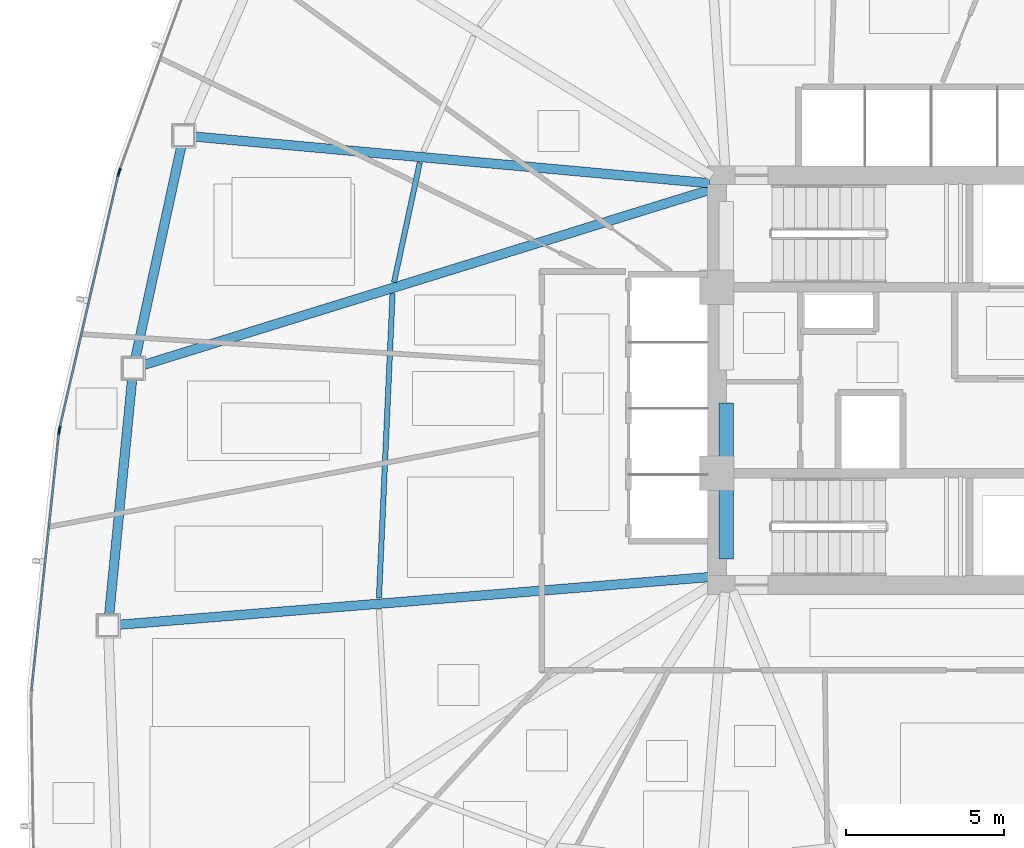
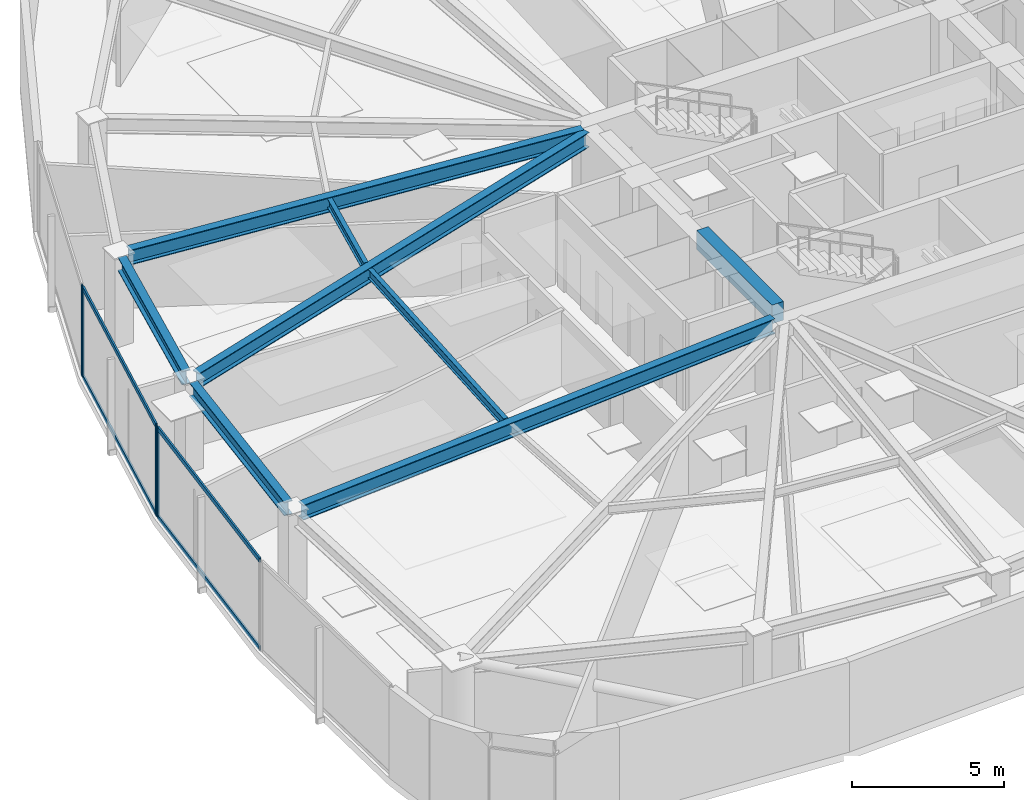
# One storey, part 4 of 17: 8 beams, 8 members, 3 elements without a shape of their own.
"""IFC4 building model written with IfcOpenShell, lengths in metres."""

from ifc_helpers import new_model, si_unit, direction, frame, origin, origin_2d, place, context, subcontext, project, spatial, rectangle, hollow_rectangle, i_section, extrude, source, transform, mapped, material, layer, layer_set, material_profile, profile_set, type_object, type_shapes, element, aggregate, save


model = new_model("IFC4")

# Units and contexts
model_context = context("Model", 3, precision=1e-05, world=origin(), true_north=direction((0.0, 1.0)))
body_context = subcontext(model_context, "Body", "Model", "MODEL_VIEW")
ifc_project = project(units=[si_unit("LENGTHUNIT", "METRE"), si_unit("AREAUNIT", "SQUARE_METRE"), si_unit("VOLUMEUNIT", "CUBIC_METRE"), si_unit("PLANEANGLEUNIT", "RADIAN"), si_unit("MASSUNIT", "GRAM", prefix="KILO")], contexts=[model_context])

# Site, building, storey
site_placement = place(None, origin())
site = spatial("IfcSite", under=ifc_project, at=site_placement, CompositionType="ELEMENT")
building_placement = place(site_placement, origin())
building = spatial("IfcBuilding", under=site, at=building_placement, Name="Tavelor Broadcast Tower", CompositionType="ELEMENT")
storey_placement = place(building_placement, frame((0.0, 0.0, 82.199951171875)))
storey = spatial("IfcBuildingStorey", under=building, at=storey_placement, Name="L19", CompositionType="ELEMENT", Elevation=82.199951171875)

# Beams
ifc_material_1 = material(Name="Concrete C40/50", Category="concrete")
ifc_material_profile_1 = material_profile(ifc_material_1, rectangle(XDim=0.449951171875, YDim=0.75, at=origin_2d()), Name="RC 450x750")
ifc_profile_set_1 = profile_set([ifc_material_profile_1], Name="Concrete C40/50")
beam_type_1 = type_object("IfcBeamType", Name="Basement Core Trim Beam 450x750", PredefinedType="BEAM", material=ifc_profile_set_1)
beam_1_placement = place(storey_placement, frame((43.39990234375, 39.327880859375, 3.22509765625), z_axis=(0.0, 1.0, 0.0), x_axis=(-1.0, 0.0, 0.0)))
element("IfcBeam", 1, at=beam_1_placement, inside=storey, type_object=beam_type_1, Name="L19 Core West-S Tie Girder", PredefinedType="BEAM", context=body_context, shape_type="SweptSolid", body=[
    extrude(rectangle(XDim=0.449951171875, YDim=0.75, at=origin_2d()), origin(), (0.0, 0.0, 1.0), 4.944091796875),
])
ifc_material_2 = material(Name="Steel S355", Category="steel")
ifc_material_profile_2 = material_profile(ifc_material_2, i_section(OverallWidth=0.169921875, OverallDepth=0.360107421875, WebThickness=0.008056640625, FlangeThickness=0.0126953125, at=origin_2d()), Name="IPE 360")
ifc_profile_set_2 = profile_set([ifc_material_profile_2], Name="Steel S355")
beam_type_2 = type_object("IfcBeamType", Name="Composite Floor Joist T2 IPE 360", PredefinedType="JOIST", material=ifc_profile_set_2)
beam_2_placement = place(storey_placement, frame((33.679931640625, 51.899658203125, 3.420166015625), z_axis=(-0.210632825907, -0.97756524726, 0.0), x_axis=(0.97756524726, -0.210632825907, 0.0)))
element("IfcBeam", 2, at=beam_2_placement, inside=storey, type_object=beam_type_2, Name="L19 Secondary Composite Floor Joist 04", PredefinedType="JOIST", context=body_context, shape_type="SweptSolid", body=[
    extrude(i_section(OverallWidth=0.169921875, OverallDepth=0.360107421875, WebThickness=0.008056640625, FlangeThickness=0.0126953125, at=origin_2d()), origin(), (0.0, 0.0, 1.0), 3.8818359375),
])
beam_3_placement = place(storey_placement, frame((32.816162109375, 47.747314453125, 3.420166015625), z_axis=(-0.044602263152, -0.999004823873, 0.0), x_axis=(0.999004823873, -0.044602263152, 0.0)))
element("IfcBeam", 3, at=beam_3_placement, inside=storey, type_object=beam_type_2, Name="L19 Secondary Composite Floor Joist 05", PredefinedType="JOIST", context=body_context, shape_type="SweptSolid", body=[
    extrude(i_section(OverallWidth=0.169921875, OverallDepth=0.360107421875, WebThickness=0.008056640625, FlangeThickness=0.0126953125, at=origin_2d()), origin(), (0.0, 0.0, 1.0), 9.66650390625),
])
ifc_material_profile_3 = material_profile(ifc_material_2, i_section(OverallWidth=0.300048828125, OverallDepth=0.550048828125, WebThickness=0.014892578125, FlangeThickness=0.029052734375, at=origin_2d()), Name="HEB 550")
ifc_profile_set_3 = profile_set([ifc_material_profile_3], Name="Steel S355")
beam_type_3 = type_object("IfcBeamType", Name="Perimeter Spandrel Beam T2 HEB 550", PredefinedType="SPANDREL", material=ifc_profile_set_3)
beam_4_placement = place(storey_placement, frame((26.1181640625, 52.4296875, 3.324951171875), z_axis=(-0.211875421449, -0.977296682582, 0.0), x_axis=(0.977296682582, -0.211875421449, 0.0)))
element("IfcBeam", 4, at=beam_4_placement, inside=storey, type_object=beam_type_3, Name="L19 Framed-Tube Ring Spandrel 04", PredefinedType="SPANDREL", context=body_context, shape_type="SweptSolid", body=[
    extrude(i_section(OverallWidth=0.300048828125, OverallDepth=0.550048828125, WebThickness=0.014892578125, FlangeThickness=0.029052734375, at=origin_2d()), origin(), (0.0, 0.0, 1.0), 6.876708984375),
])
beam_5_placement = place(storey_placement, frame((24.557373046875, 45.04638671875, 3.324951171875), z_axis=(-0.096929220198, -0.9952912771, 0.0), x_axis=(0.9952912771, -0.096929220198, 0.0)))
element("IfcBeam", 5, at=beam_5_placement, inside=storey, type_object=beam_type_3, Name="L19 Framed-Tube Ring Spandrel 05", PredefinedType="SPANDREL", context=body_context, shape_type="SweptSolid", body=[
    extrude(i_section(OverallWidth=0.300048828125, OverallDepth=0.550048828125, WebThickness=0.014892578125, FlangeThickness=0.029052734375, at=origin_2d()), origin(), (0.0, 0.0, 1.0), 7.531005859375),
])
ifc_material_profile_4 = material_profile(ifc_material_2, i_section(OverallWidth=0.300048828125, OverallDepth=0.60009765625, WebThickness=0.015380859375, FlangeThickness=0.030029296875, at=origin_2d()), Name="HEB 600")
ifc_profile_set_4 = profile_set([ifc_material_profile_4], Name="Steel S355")
beam_type_4 = type_object("IfcBeamType", Name="Radial Floor Girder T2 HEB 600", PredefinedType="BEAM", material=ifc_profile_set_4)
beam_6_placement = place(storey_placement, frame((42.874267578125, 51.24755859375, 3.300048828125), z_axis=(-0.99592702313, 0.090162989073, 0.0), x_axis=(-0.090162989073, -0.99592702313, 0.0)))
element("IfcBeam", 6, at=beam_6_placement, inside=storey, type_object=beam_type_4, Name="L19 Radial Primary Floor Girder 04", PredefinedType="BEAM", context=body_context, shape_type="SweptSolid", body=[
    extrude(i_section(OverallWidth=0.300048828125, OverallDepth=0.60009765625, WebThickness=0.015380859375, FlangeThickness=0.030029296875, at=origin_2d()), origin(), (0.0, 0.0, 1.0), 16.417236328125),
])
beam_7_placement = place(storey_placement, frame((42.8955078125, 51.0439453125, 3.300048828125), z_axis=(-0.9553264377, -0.295552698231, 0.0), x_axis=(0.295552698231, -0.9553264377, 0.0)))
element("IfcBeam", 7, at=beam_7_placement, inside=storey, type_object=beam_type_4, Name="L19 Radial Primary Floor Girder 05", PredefinedType="BEAM", context=body_context, shape_type="SweptSolid", body=[
    extrude(i_section(OverallWidth=0.300048828125, OverallDepth=0.60009765625, WebThickness=0.015380859375, FlangeThickness=0.030029296875, at=origin_2d()), origin(), (0.0, 0.0, 1.0), 18.82568359375),
])
beam_8_placement = place(storey_placement, frame((42.873779296875, 38.757568359375, 3.300048828125), z_axis=(-0.996753141144, -0.080518169498, 0.0), x_axis=(0.080518169498, -0.996753141144, 0.0)))
element("IfcBeam", 8, at=beam_8_placement, inside=storey, type_object=beam_type_4, Name="L19 Radial Primary Floor Girder 06", PredefinedType="BEAM", context=body_context, shape_type="SweptSolid", body=[
    extrude(i_section(OverallWidth=0.300048828125, OverallDepth=0.60009765625, WebThickness=0.015380859375, FlangeThickness=0.030029296875, at=origin_2d()), origin(), (0.0, 0.0, 1.0), 18.80517578125),
])

# Curtain wall, member
ifc_material_3 = material(Name="Architectural Anodized Aluminium", Category="aluminium")
ifc_layer = layer(ifc_material_3, 0.179931640625)
ifc_layer_set = layer_set([ifc_layer], Name="Architectural Anodized Aluminium")
curtain_wall_type = type_object("IfcCurtainWallType", Name="Tower Low-Zone Unitised Curtain Wall CW02", PredefinedType="NOTDEFINED", material=ifc_layer_set)
curtain_wall_1_placement = place(storey_placement, origin())
curtain_wall_1 = element("IfcCurtainWall", 9, at=curtain_wall_1_placement, inside=storey, type_object=curtain_wall_type, Name="L19 Curtain Wall CW02 Run 181", PredefinedType="NOTDEFINED")
ifc_material_profile_5 = material_profile(ifc_material_3, hollow_rectangle(XDim=0.06494140625, YDim=0.179931640625, WallThickness=0.02197265625, at=origin_2d()), Name="RHS 65x180x22")
ifc_profile_set_5 = profile_set([ifc_material_profile_5], Name="Architectural Anodized Aluminium")
member_type_1 = type_object("IfcMemberType", Name="CW02 Extruded Aluminium Mullion 65x180", PredefinedType="MULLION", material=ifc_profile_set_5)
shared_shape_1 = source(origin(), body_context, "Body", "SweptSolid", [
    extrude(hollow_rectangle(XDim=0.06494140625, YDim=0.179931640625, WallThickness=0.02197265625, at=origin_2d()), origin(), (0.0, 0.0, 1.0), 3.60009765625),
])
type_shapes(member_type_1, [shared_shape_1])
member_1_placement = place(storey_placement, frame((24.15380859375, 51.63916015625, 0.0), z_axis=(0.0, 0.0, 1.0), x_axis=(0.93983590828, -0.341626207291, 0.0)))
member_1 = element("IfcMember", 10, at=member_1_placement, type_object=member_type_1, Name="CW02 mullion 2", PredefinedType="MULLION", context=body_context, shape_type="MappedRepresentation", body=[
    mapped(shared_shape_1, transform((0.0, 0.0, 0.0), scale=1.0)),
])
aggregate(curtain_wall_1, [member_1])

# Curtain wall, members
curtain_wall_2_placement = place(storey_placement, origin())
curtain_wall_2 = element("IfcCurtainWall", 11, at=curtain_wall_2_placement, inside=storey, type_object=curtain_wall_type, Name="L19 Curtain Wall CW02 Run 182", PredefinedType="NOTDEFINED")
member_2_placement = place(storey_placement, frame((24.126708984375, 51.54833984375, 0.0), z_axis=(0.0, 0.0, 1.0), x_axis=(0.974275052333, -0.22536220269, 0.0)))
member_2 = element("IfcMember", 12, at=member_2_placement, type_object=member_type_1, Name="CW02 mullion 1", PredefinedType="MULLION", context=body_context, shape_type="MappedRepresentation", body=[
    mapped(shared_shape_1, transform((0.0, 0.0, 0.0), scale=1.0)),
])
member_3_placement = place(storey_placement, frame((22.255615234375, 43.458984375, 0.0), z_axis=(0.0, 0.0, 1.0), x_axis=(0.974275052333, -0.22536220269, 0.0)))
member_3 = element("IfcMember", 13, at=member_3_placement, type_object=member_type_1, Name="CW02 mullion 2", PredefinedType="MULLION", context=body_context, shape_type="MappedRepresentation", body=[
    mapped(shared_shape_1, transform((0.0, 0.0, 0.0), scale=1.0)),
])

# Curtain wall, member
curtain_wall_3_placement = place(storey_placement, origin())
curtain_wall_3 = element("IfcCurtainWall", 14, at=curtain_wall_3_placement, inside=storey, type_object=curtain_wall_type, Name="L19 Curtain Wall CW02 Run 183", PredefinedType="NOTDEFINED")
member_4_placement = place(storey_placement, frame((22.23974609375, 43.365478515625, 0.0), z_axis=(0.0, 0.0, 1.0), x_axis=(0.994385034184, -0.10582251079, 0.0)))
member_4 = element("IfcMember", 15, at=member_4_placement, type_object=member_type_1, Name="CW02 mullion 1", PredefinedType="MULLION", context=body_context, shape_type="MappedRepresentation", body=[
    mapped(shared_shape_1, transform((0.0, 0.0, 0.0), scale=1.0)),
])

# Member
ifc_material_profile_6 = material_profile(ifc_material_3, hollow_rectangle(XDim=0.06494140625, YDim=0.179931640625, WallThickness=0.02197265625, at=origin_2d()), Name="RHS 65x180x22")
ifc_profile_set_6 = profile_set([ifc_material_profile_6], Name="Architectural Anodized Aluminium")
member_type_2 = type_object("IfcMemberType", Name="CW02 Extruded Aluminium Transom 65x180", PredefinedType="USERDEFINED", material=ifc_profile_set_6)
shared_shape_2 = source(origin(), body_context, "Body", "SweptSolid", [
    extrude(hollow_rectangle(XDim=0.06494140625, YDim=0.179931640625, WallThickness=0.02197265625, at=origin_2d()), origin(), (0.0, 0.0, 1.0), 8.23779296875),
])
type_shapes(member_type_2, [shared_shape_2])
member_5_placement = place(storey_placement, frame((24.119384765625, 51.5166015625, 0.032470703125), z_axis=(-0.225357306958, -0.974276184765, 0.0), x_axis=(0.974276184765, -0.225357306958, 0.0)))
member_5 = element("IfcMember", 16, at=member_5_placement, type_object=member_type_2, Name="CW02 transom 1.1", ObjectType="TRANSOM", PredefinedType="USERDEFINED", context=body_context, shape_type="MappedRepresentation", body=[
    mapped(shared_shape_2, transform((0.0, 0.0, 0.0), scale=1.0)),
])

member_6_placement = place(storey_placement, frame((24.119384765625, 51.5166015625, 3.567626953125), z_axis=(-0.225357306958, -0.974276184765, 0.0), x_axis=(0.974276184765, -0.225357306958, 0.0)))
member_6 = element("IfcMember", 17, at=member_6_placement, type_object=member_type_2, Name="CW02 transom 1.2", ObjectType="TRANSOM", PredefinedType="USERDEFINED", context=body_context, shape_type="MappedRepresentation", body=[
    mapped(shared_shape_2, transform((0.0, 0.0, 0.0), scale=1.0)),
])

aggregate(curtain_wall_2, [member_2, member_3, member_5, member_6])

member_7_placement = place(storey_placement, frame((22.236328125, 43.333251953125, 0.032470703125), z_axis=(-0.105801642168, -0.994387254803, 0.0), x_axis=(0.994387254803, -0.105801642168, 0.0)))
member_7 = element("IfcMember", 18, at=member_7_placement, type_object=member_type_2, Name="CW02 transom 1.1", ObjectType="TRANSOM", PredefinedType="USERDEFINED", context=body_context, shape_type="MappedRepresentation", body=[
    mapped(shared_shape_2, transform((0.0, 0.0, 0.0), scale=1.0)),
])

member_8_placement = place(storey_placement, frame((22.236328125, 43.333251953125, 3.567626953125), z_axis=(-0.105801642168, -0.994387254803, 0.0), x_axis=(0.994387254803, -0.105801642168, 0.0)))
member_8 = element("IfcMember", 19, at=member_8_placement, type_object=member_type_2, Name="CW02 transom 1.2", ObjectType="TRANSOM", PredefinedType="USERDEFINED", context=body_context, shape_type="MappedRepresentation", body=[
    mapped(shared_shape_2, transform((0.0, 0.0, 0.0), scale=1.0)),
])

aggregate(curtain_wall_3, [member_4, member_7, member_8])

save(model, "model.ifc")
